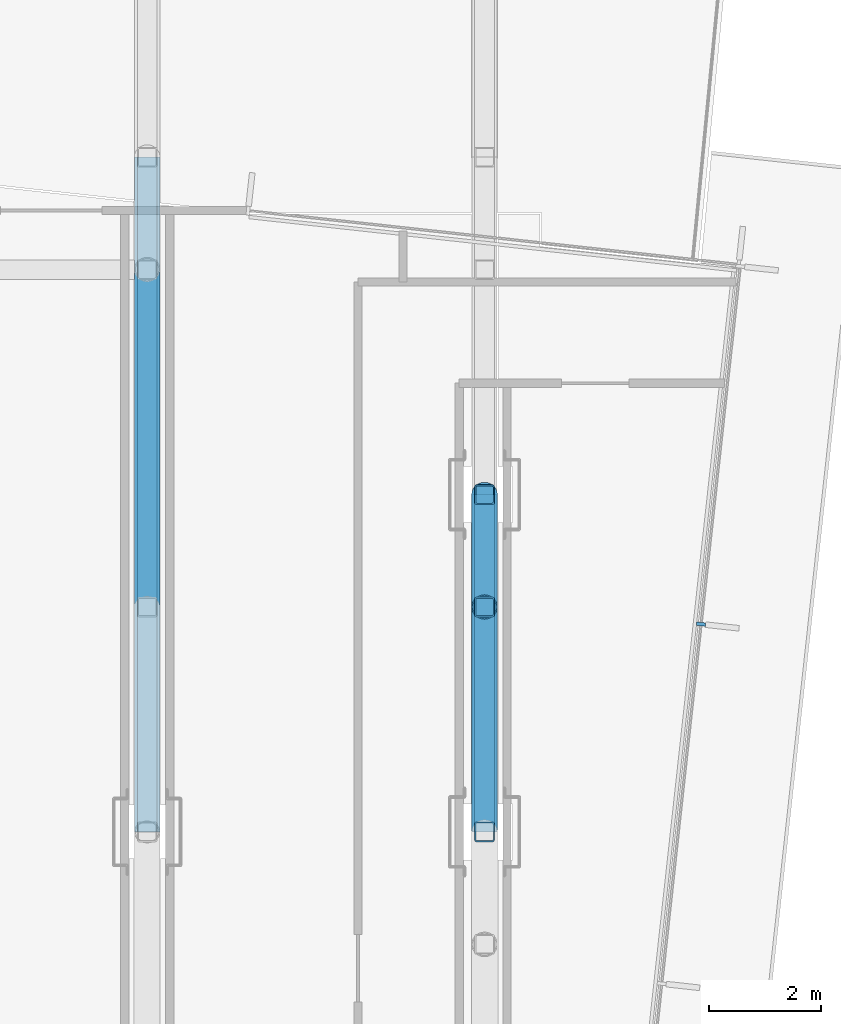
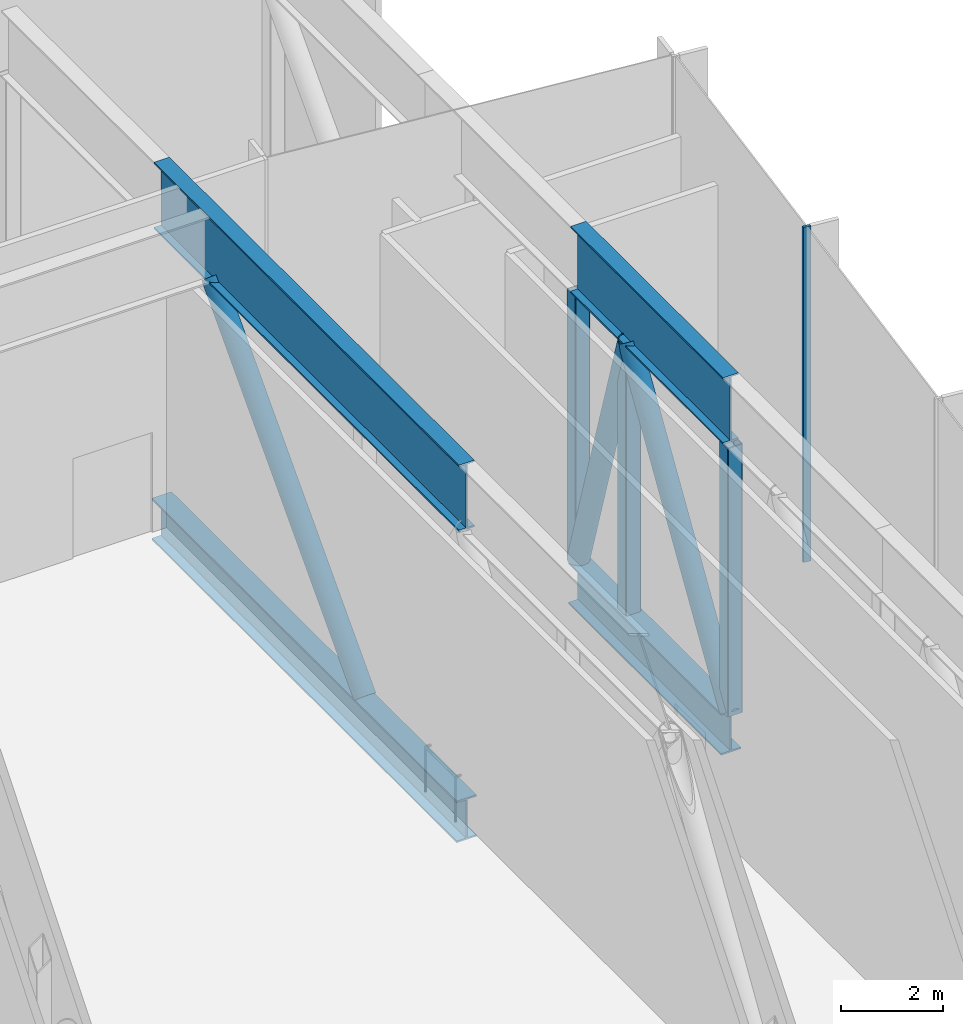
# One storey, part 8 of 24: 11 members, 1 element without a shape of its own.
"""IFC4 building model written with IfcOpenShell, lengths in metres."""

from ifc_helpers import new_model, si_unit, direction, frame, origin, origin_2d, place, context, subcontext, project, spatial, rectangle, hollow_rectangle, hollow_circle, i_section, extrude, material, layer, layer_set, material_profile, profile_set, type_object, element, aggregate, save


model = new_model("IFC4")

# Units and contexts
model_context = context("Model", 3, precision=1e-05, world=origin(), true_north=direction((0.0, 1.0)))
body_context = subcontext(model_context, "Body", "Model", "MODEL_VIEW")
ifc_project = project(units=[si_unit("LENGTHUNIT", "METRE"), si_unit("AREAUNIT", "SQUARE_METRE"), si_unit("VOLUMEUNIT", "CUBIC_METRE"), si_unit("PLANEANGLEUNIT", "RADIAN"), si_unit("MASSUNIT", "GRAM", prefix="KILO")], contexts=[model_context])

# Site, building, storey
site_placement = place(None, origin())
site = spatial("IfcSite", under=ifc_project, at=site_placement, CompositionType="ELEMENT")
building_placement = place(site_placement, origin())
building = spatial("IfcBuilding", under=site, at=building_placement, Name="Welwitschia Terrace Campus", CompositionType="ELEMENT")
storey_placement = place(building_placement, frame((0.0, 0.0, 138.199951171875)))
storey = spatial("IfcBuildingStorey", under=building, at=storey_placement, Name="L31", CompositionType="ELEMENT", Elevation=138.199951171875)

# Curtain wall, member
ifc_material_1 = material(Name="Bronze anodised aluminium", Category="aluminium")
ifc_layer = layer(ifc_material_1, 0.159912109375)
ifc_layer_set = layer_set([ifc_layer], Name="Bronze anodised aluminium")
curtain_wall_type = type_object("IfcCurtainWallType", Name="Curtain wall CW3 commons 6000", PredefinedType="NOTDEFINED", material=ifc_layer_set)
curtain_wall_placement = place(storey_placement, origin())
curtain_wall = element("IfcCurtainWall", 1, at=curtain_wall_placement, inside=storey, type_object=curtain_wall_type, Name="CW L31.10.0", PredefinedType="NOTDEFINED")
ifc_material_2 = material(Name="Bronze anodised aluminium", Category="aluminium")
ifc_material_profile_1 = material_profile(ifc_material_2, rectangle(XDim=0.159912109375, YDim=0.06005859375, at=origin_2d()))
ifc_profile_set_1 = profile_set([ifc_material_profile_1], Name="Bronze anodised aluminium")
member_type_1 = type_object("IfcMemberType", Name="Mullion 60x160", PredefinedType="MULLION", material=ifc_profile_set_1)
member_1_placement = place(storey_placement, frame((27.8505859375, 55.695068359375, 0.0), z_axis=(0.0, 0.0, 1.0), x_axis=(-0.994056338222, 0.108866874852, 0.0)))
member_1 = element("IfcMember", 2, at=member_1_placement, type_object=member_type_1, Name="Mullion L31.10.0.4", PredefinedType="MULLION", context=body_context, shape_type="SweptSolid", body=[
    extrude(rectangle(XDim=0.159912109375, YDim=0.06005859375, at=origin_2d()), origin(), (0.0, 0.0, 1.0), 8.050048828125),
])
aggregate(curtain_wall, [member_1])

# Members
ifc_material_3 = material(Name="Steel S355", Category="steel")
ifc_material_profile_2 = material_profile(ifc_material_3, i_section(OverallWidth=0.449951171875, OverallDepth=1.0, WebThickness=0.030029296875, FlangeThickness=0.0400390625, at=origin_2d()))
ifc_profile_set_2 = profile_set([ifc_material_profile_2], Name="Steel S355")
member_type_2 = type_object("IfcMemberType", Name="Transfer truss C2 bottom chord WI 1000x450x30x40", PredefinedType="CHORD", material=ifc_profile_set_2)
member_2_placement = place(storey_placement, frame((18.0, 52.0, -0.5), z_axis=(0.0, 1.0, 0.0), x_axis=(-1.0, 0.0, 0.0)))
element("IfcMember", 3, at=member_2_placement, inside=storey, type_object=member_type_2, Name="Truss bottom chord", PredefinedType="CHORD", context=body_context, shape_type="SweptSolid", body=[
    extrude(i_section(OverallWidth=0.449951171875, OverallDepth=1.0, WebThickness=0.030029296875, FlangeThickness=0.0400390625, at=origin_2d()), origin(), (0.0, 0.0, 1.0), 12.0),
])
member_3_placement = place(storey_placement, frame((24.0, 52.0, -0.5), z_axis=(0.0, 1.0, 0.0), x_axis=(-1.0, 0.0, 0.0)))
element("IfcMember", 4, at=member_3_placement, inside=storey, type_object=member_type_2, Name="Truss bottom chord", PredefinedType="CHORD", context=body_context, shape_type="SweptSolid", body=[
    extrude(i_section(OverallWidth=0.449951171875, OverallDepth=1.0, WebThickness=0.030029296875, FlangeThickness=0.0400390625, at=origin_2d()), origin(), (0.0, 0.0, 1.0), 6.0),
])
ifc_material_4 = material(Name="Steel S355", Category="steel")
ifc_material_profile_3 = material_profile(ifc_material_4, hollow_circle(Radius=0.228515625, WallThickness=0.02001953125, at=origin_2d()))
ifc_profile_set_3 = profile_set([ifc_material_profile_3], Name="Steel S355")
member_type_3 = type_object("IfcMemberType", Name="Transfer truss C2 diagonal CHS 457x20", PredefinedType="BRACE", material=ifc_profile_set_3)
member_4_placement = place(storey_placement, frame((18.0, 56.0, 0.0), z_axis=(0.0, 0.681106706671, 0.732184166811), x_axis=(-1.0, 0.0, 0.0)))
element("IfcMember", 5, at=member_4_placement, inside=storey, type_object=member_type_3, Name="Truss diagonal", PredefinedType="BRACE", context=body_context, shape_type="SweptSolid", body=[
    extrude(hollow_circle(Radius=0.228515625, WallThickness=0.02001953125, at=origin_2d()), origin(), (0.0, 0.0, 1.0), 8.80908203125),
])
member_5_placement = place(storey_placement, frame((24.0, 52.0, 0.0), z_axis=(0.0, 0.527037721004, 0.849841891553), x_axis=(-1.0, 0.0, 0.0)))
element("IfcMember", 6, at=member_5_placement, inside=storey, type_object=member_type_3, Name="Truss diagonal", PredefinedType="BRACE", context=body_context, shape_type="SweptSolid", body=[
    extrude(hollow_circle(Radius=0.228515625, WallThickness=0.02001953125, at=origin_2d()), origin(), (0.0, 0.0, 1.0), 7.589599609375),
])
member_6_placement = place(storey_placement, frame((24.0, 58.0, 0.0), z_axis=(0.0, -0.296168365803, 0.955135749042), x_axis=(1.0, 0.0, 0.0)))
element("IfcMember", 7, at=member_6_placement, inside=storey, type_object=member_type_3, Name="Truss diagonal", PredefinedType="BRACE", context=body_context, shape_type="SweptSolid", body=[
    extrude(hollow_circle(Radius=0.228515625, WallThickness=0.02001953125, at=origin_2d()), origin(), (0.0, 0.0, 1.0), 6.7529296875),
])
ifc_material_5 = material(Name="Steel S355", Category="steel")
ifc_material_profile_4 = material_profile(ifc_material_5, hollow_rectangle(XDim=0.35009765625, YDim=0.35009765625, WallThickness=0.02001953125, InnerFilletRadius=0.02001953125, OuterFilletRadius=0.030029296875, at=origin_2d()))
ifc_profile_set_4 = profile_set([ifc_material_profile_4], Name="Steel S355")
member_type_4 = type_object("IfcMemberType", Name="Transfer truss C2 post SHS 350x350x20", PredefinedType="POST", material=ifc_profile_set_4)
for number, where, z_axis, x_axis, name in (
    (8, (24.0, 52.0, 0.0), (0.0, 0.0, 1.0), (1.0, 0.0, 0.0), "Truss post"),
    (9, (24.0, 56.0, 0.0), (0.0, 0.0, 1.0), (1.0, 0.0, 0.0), "Truss post"),
    (10, (24.0, 58.0, 0.0), (0.0, 0.0, 1.0), (1.0, 0.0, 0.0), "Truss post"),
):
    element("IfcMember", number, at=place(storey_placement, frame(where, z_axis=z_axis, x_axis=x_axis)), inside=storey, type_object=member_type_4, Name=name, PredefinedType="POST", context=body_context, shape_type="SweptSolid", body=[
        extrude(hollow_rectangle(XDim=0.35009765625, YDim=0.35009765625, WallThickness=0.02001953125, InnerFilletRadius=0.02001953125, OuterFilletRadius=0.030029296875, at=origin_2d()), origin(), (0.0, 0.0, 1.0), 6.449951171875),
    ])
ifc_material_6 = material(Name="Steel S355", Category="steel")
ifc_material_profile_5 = material_profile(ifc_material_6, i_section(OverallWidth=0.35009765625, OverallDepth=1.60009765625, WebThickness=0.030029296875, FlangeThickness=0.0400390625, at=origin_2d()))
ifc_profile_set_5 = profile_set([ifc_material_profile_5], Name="Steel S355")
member_type_5 = type_object("IfcMemberType", Name="Transfer truss C2 top chord WI 1600x350x30x40", PredefinedType="CHORD", material=ifc_profile_set_5)
member_7_placement = place(storey_placement, frame((18.0, 52.0, 7.25), z_axis=(0.0, 1.0, 0.0), x_axis=(-1.0, 0.0, 0.0)))
element("IfcMember", 11, at=member_7_placement, inside=storey, type_object=member_type_5, Name="Truss top chord", PredefinedType="CHORD", context=body_context, shape_type="SweptSolid", body=[
    extrude(i_section(OverallWidth=0.35009765625, OverallDepth=1.60009765625, WebThickness=0.030029296875, FlangeThickness=0.0400390625, at=origin_2d()), origin(), (0.0, 0.0, 1.0), 12.0),
])
member_8_placement = place(storey_placement, frame((24.0, 52.0, 7.25), z_axis=(0.0, 1.0, 0.0), x_axis=(-1.0, 0.0, 0.0)))
element("IfcMember", 12, at=member_8_placement, inside=storey, type_object=member_type_5, Name="Truss top chord", PredefinedType="CHORD", context=body_context, shape_type="SweptSolid", body=[
    extrude(i_section(OverallWidth=0.35009765625, OverallDepth=1.60009765625, WebThickness=0.030029296875, FlangeThickness=0.0400390625, at=origin_2d()), origin(), (0.0, 0.0, 1.0), 6.0),
])

save(model, "model.ifc")
